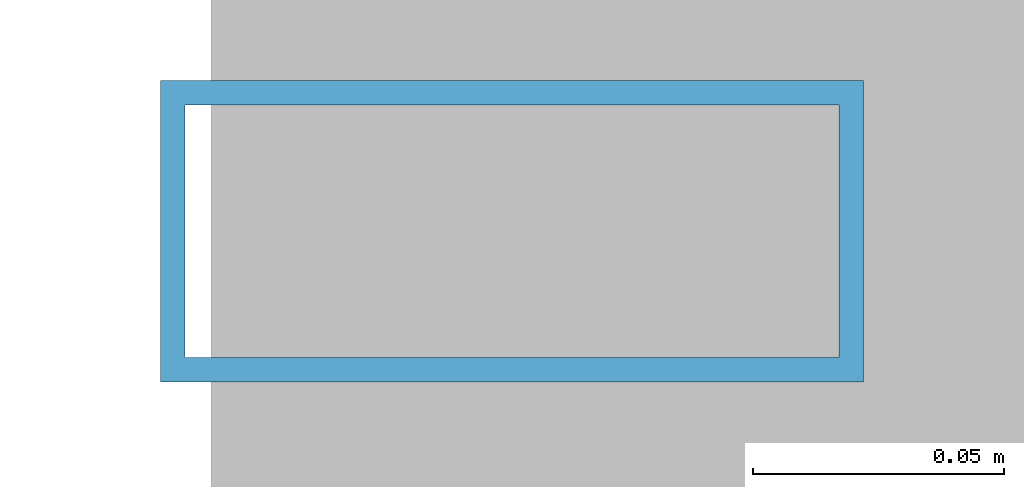
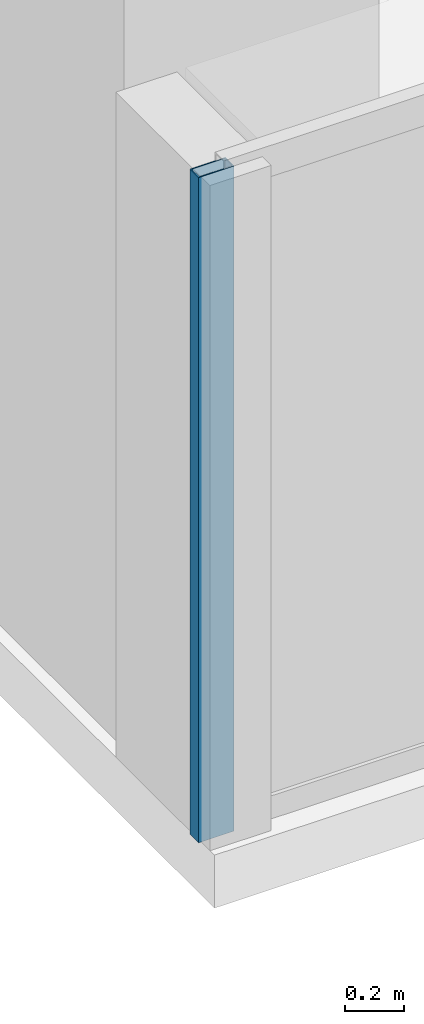
# One storey, part 6 of 28: 1 member, 1 element without a shape of its own.
"""IFC4 building model written with IfcOpenShell, lengths in metres."""

import ifcopenshell
import ifcopenshell.guid

model = None  # the IFC model being written
_history = None  # IfcOwnerHistory: only IFC2X3 demands one
_inside = {}  # id of a spatial element -> (the spatial element, [elements in it])
_under = {}  # id of a project, library or spatial element -> (it, [spatial elements below it])
_declared = {}  # id of a project -> (the project, [libraries it declares])
_typed = {}  # id of a type object -> (the type object, [elements of that type])
_made_of = {}  # id of a material, layer set ... -> (it, [elements and type objects made of it])


def new_model(schema):
    """Start an empty IFC model of exactly this schema.

    Asked for "IFC4X3", IfcOpenShell would pick the latest addendum, in which some entities
    have other attributes; the version numbers below select the first issue.
    IFC2X3 requires an IfcOwnerHistory on every rooted entity: one is made here for all.
    """
    global model, _history
    if schema == "IFC4X3":
        model = ifcopenshell.file(schema_version=(4, 3, 0, 0))
    else:
        model = ifcopenshell.file(schema=schema)
    _inside.clear()
    _under.clear()
    _declared.clear()
    _typed.clear()
    _made_of.clear()
    _history = None
    if model.schema == "IFC2X3":
        org = make("IfcOrganization", Name="unknown")
        user = make(
            "IfcPersonAndOrganization",
            ThePerson=make("IfcPerson", FamilyName="unknown"),
            TheOrganization=org,
        )
        app = make(
            "IfcApplication",
            ApplicationDeveloper=org,
            Version="unknown",
            ApplicationFullName="unknown",
            ApplicationIdentifier="unknown",
        )
        _history = make(
            "IfcOwnerHistory",
            OwningUser=user,
            OwningApplication=app,
            ChangeAction="ADDED",
            CreationDate=0,
        )
    return model


def make(cls, **values):
    """One entity of the class cls with the attributes given. An attribute that is None is left unset."""
    return model.create_entity(
        cls, **{name: value for name, value in values.items() if value is not None}
    )


def rooted(cls, **values):
    """An entity with a GlobalId (a new one), such as an element, a storey or a relation."""
    return make(cls, GlobalId=ifcopenshell.guid.new(), OwnerHistory=_history, **values)


def si_unit(unit_type, name, prefix=None):
    """IfcSIUnit, for example si_unit("LENGTHUNIT", "METRE", prefix="MILLI")."""
    return make("IfcSIUnit", UnitType=unit_type, Prefix=prefix, Name=name)


def assignment(units):
    """IfcUnitAssignment: the units of a project."""
    return None if units is None else make("IfcUnitAssignment", Units=units)


def point(xyz):
    """IfcCartesianPoint."""
    return None if xyz is None else make("IfcCartesianPoint", Coordinates=xyz)


def direction(xyz):
    """IfcDirection."""
    return None if xyz is None else make("IfcDirection", DirectionRatios=xyz)


def frame(location, z_axis=None, x_axis=None):
    """IfcAxis2Placement3D, a coordinate frame: its origin and axes. An axis left out is left unset."""
    return make(
        "IfcAxis2Placement3D",
        Location=point(location),
        Axis=direction(z_axis),
        RefDirection=direction(x_axis),
    )


def frame_2d(location, x_axis=None):
    """IfcAxis2Placement2D, a coordinate frame in the plane: its origin and x axis."""
    return make(
        "IfcAxis2Placement2D", Location=point(location), RefDirection=direction(x_axis)
    )


def origin():
    """The frame at (0, 0, 0) with its axes left unset."""
    return frame((0.0, 0.0, 0.0))


def origin_2d():
    """The frame at (0, 0) in the plane with its x axis left unset."""
    return frame_2d((0.0, 0.0))


def place(relative_to, where):
    """IfcLocalPlacement: puts the frame where relative to a parent placement (None: the world)."""
    return make(
        "IfcLocalPlacement", PlacementRelTo=relative_to, RelativePlacement=where
    )


def context(
    kind, dimensions, precision=None, world=None, true_north=None, identifier=None
):
    """IfcGeometricRepresentationContext, for example the 3D "Model" context."""
    return make(
        "IfcGeometricRepresentationContext",
        ContextIdentifier=identifier,
        ContextType=kind,
        CoordinateSpaceDimension=dimensions,
        Precision=precision,
        WorldCoordinateSystem=world,
        TrueNorth=true_north,
    )


def subcontext(parent, identifier, kind, view, scale=None):
    """IfcGeometricRepresentationSubContext, for example "Body" below "Model"."""
    return make(
        "IfcGeometricRepresentationSubContext",
        ContextIdentifier=identifier,
        ContextType=kind,
        ParentContext=parent,
        TargetScale=scale,
        TargetView=view,
    )


def project(units=None, contexts=None):
    """IfcProject with its units and contexts."""
    return rooted(
        "IfcProject",
        Name="project",
        RepresentationContexts=contexts,
        UnitsInContext=assignment(units),
    )


def spatial(cls, under=None, at=None, **own):
    """A site, building, storey or space (cls), placed at a placement, below another one or the project."""
    s = rooted(cls, ObjectPlacement=at, **own)
    if under is not None:
        _under.setdefault(under.id(), (under, []))[1].append(s)
    return s


def profile(cls, at=None, kind="AREA", **sizes):
    """A parametric profile (cls). Its sizes go by their IFC names, for example OverallWidth=200.0."""
    return make(cls, ProfileType=kind, Position=at, **sizes)


def hollow_rectangle(**sizes):
    """IfcRectangleHollowProfileDef."""
    return profile("IfcRectangleHollowProfileDef", **sizes)


def extrude(swept, where, along, depth):
    """IfcExtrudedAreaSolid: the profile swept, set in the frame where, extruded along a direction by depth."""
    return make(
        "IfcExtrudedAreaSolid",
        SweptArea=swept,
        Position=where,
        ExtrudedDirection=direction(along),
        Depth=depth,
    )


def shape(context_of_items, identifier, shape_type, items):
    """IfcShapeRepresentation: the items that make up one representation, for example the "Body"."""
    return make(
        "IfcShapeRepresentation",
        ContextOfItems=context_of_items,
        RepresentationIdentifier=identifier,
        RepresentationType=shape_type,
        Items=items,
    )


def source(mapping_origin, context_of_items, identifier, shape_type, items):
    """IfcRepresentationMap: a shape defined once, which mapped items show again and again."""
    return make(
        "IfcRepresentationMap",
        MappingOrigin=mapping_origin,
        MappedRepresentation=shape(context_of_items, identifier, shape_type, items),
    )


def transform(
    local_origin,
    x_axis=None,
    y_axis=None,
    z_axis=None,
    scale=None,
    scale2=None,
    scale3=None,
    uniform=True,
):
    """IfcCartesianTransformationOperator3D, or its non-uniform kind. x_axis, y_axis, z_axis: its Axis1, 2, 3."""
    if uniform:
        return make(
            "IfcCartesianTransformationOperator3D",
            Axis1=direction(x_axis),
            Axis2=direction(y_axis),
            LocalOrigin=point(local_origin),
            Scale=scale,
            Axis3=direction(z_axis),
        )
    return make(
        "IfcCartesianTransformationOperator3DnonUniform",
        Axis1=direction(x_axis),
        Axis2=direction(y_axis),
        LocalOrigin=point(local_origin),
        Scale=scale,
        Axis3=direction(z_axis),
        Scale2=scale2,
        Scale3=scale3,
    )


def mapped(mapping_source, mapping_target):
    """IfcMappedItem: shows the shape of a source again, moved by a transform."""
    return make(
        "IfcMappedItem", MappingSource=mapping_source, MappingTarget=mapping_target
    )


def material(Name=None, Category=None):
    """IfcMaterial."""
    return make("IfcMaterial", Name=Name, Category=Category)


def layer(
    of_material, thickness, ventilated=None, Name=None, Category=None, Priority=None
):
    """IfcMaterialLayer: one layer of a wall or slab, of a material (None: an air gap)."""
    return make(
        "IfcMaterialLayer",
        Material=of_material,
        LayerThickness=thickness,
        IsVentilated=ventilated,
        Name=Name,
        Category=Category,
        Priority=Priority,
    )


def layer_set(layers, Name=None):
    """IfcMaterialLayerSet."""
    return make("IfcMaterialLayerSet", MaterialLayers=layers, LayerSetName=Name)


def material_profile(
    of_material, cross_section, Name=None, Category=None, Priority=None
):
    """IfcMaterialProfile: a cross section and its material."""
    return make(
        "IfcMaterialProfile",
        Name=Name,
        Material=of_material,
        Profile=cross_section,
        Priority=Priority,
        Category=Category,
    )


def profile_set(profiles, Name=None, composite=None):
    """IfcMaterialProfileSet."""
    return make(
        "IfcMaterialProfileSet",
        Name=Name,
        MaterialProfiles=profiles,
        CompositeProfile=composite,
    )


def made_of(thing, what):
    """Note that an element or type object is made of a material, layer set ...; save() writes the relation."""
    if what is not None:
        _made_of.setdefault(what.id(), (what, []))[1].append(thing)
    return thing


def type_object(cls, material=None, **own):
    """A type object (cls), such as IfcWallType, which elements share."""
    return made_of(rooted(cls, **own), material)


def element(
    cls,
    number,
    at=None,
    inside=None,
    cuts=None,
    type_object=None,
    material=None,
    context=None,
    identifier="Body",
    shape_type=None,
    held_by="IfcProductDefinitionShape",
    body=None,
    shapes=None,
    **own,
):
    """One element of the class cls, such as IfcWall. Its Tag is "e" and its number.

    at: its placement. inside: the storey or other place that contains it. cuts: it is an
    opening in that element (IfcRelVoidsElement). A single representation is given by context,
    identifier, shape_type and body (its items); several are given by shapes. held_by: the class
    of the entity that holds the representations. save() writes the other relations.
    """
    e = rooted(cls, Tag="e%d" % number, ObjectPlacement=at, **own)
    if body is not None:
        shapes = [shape(context, identifier, shape_type, body)]
    if shapes is not None:
        e.Representation = make(held_by, Representations=shapes)
    if inside is not None:
        _inside.setdefault(inside.id(), (inside, []))[1].append(e)
    if cuts is not None:
        rooted(
            "IfcRelVoidsElement", RelatingBuildingElement=cuts, RelatedOpeningElement=e
        )
    if type_object is not None:
        _typed.setdefault(type_object.id(), (type_object, []))[1].append(e)
    return made_of(e, material)


def aggregate(whole, parts):
    """IfcRelAggregates: a whole, such as a stair, and the parts it consists of."""
    return rooted("IfcRelAggregates", RelatingObject=whole, RelatedObjects=parts)


def save(model, path):
    """Write the relations noted so far, then the file.

    IfcRelAggregates (storeys below a building ...), IfcRelContainedInSpatialStructure (elements
    in a storey), IfcRelDefinesByType, IfcRelAssociatesMaterial and IfcRelDeclares: one each for
    every whole, place, type object, material and project.
    """
    for whole, parts in _under.values():
        aggregate(whole, parts)
    for where, things in _inside.values():
        rooted(
            "IfcRelContainedInSpatialStructure",
            RelatedElements=things,
            RelatingStructure=where,
        )
    for kind, things in _typed.values():
        rooted("IfcRelDefinesByType", RelatedObjects=things, RelatingType=kind)
    for what, things in _made_of.values():
        rooted("IfcRelAssociatesMaterial", RelatedObjects=things, RelatingMaterial=what)
    for by, libraries in _declared.values():
        rooted("IfcRelDeclares", RelatingContext=by, RelatedDefinitions=libraries)
    model.write(path)


model = new_model("IFC4")

# Units and contexts
model_context = context("Model", 3, precision=1e-05, world=origin(), true_north=direction((0.0, 1.0)))
body_context = subcontext(model_context, "Body", "Model", "MODEL_VIEW")
ifc_project = project(units=[si_unit("LENGTHUNIT", "METRE"), si_unit("AREAUNIT", "SQUARE_METRE"), si_unit("VOLUMEUNIT", "CUBIC_METRE"), si_unit("PLANEANGLEUNIT", "RADIAN"), si_unit("MASSUNIT", "GRAM", prefix="KILO")], contexts=[model_context])

# Site, building, storey
site_placement = place(None, origin())
site = spatial("IfcSite", under=ifc_project, at=site_placement, CompositionType="ELEMENT")
building_placement = place(site_placement, origin())
building = spatial("IfcBuilding", under=site, at=building_placement, Name="Sumidabori Civic Tower", CompositionType="ELEMENT")
storey_placement = place(building_placement, frame((0.0, 0.0, 210.800048828125)))
storey = spatial("IfcBuildingStorey", under=building, at=storey_placement, Name="L54", CompositionType="ELEMENT", Elevation=210.800048828125)

# Curtain wall, member
ifc_material = material(Name="Anodised Bronze Aluminium AW-6063-T6", Category="aluminium")
ifc_layer = layer(ifc_material, 0.179931640625, Name="Anodised Bronze Aluminium AW-6063-T6")
ifc_layer_set = layer_set([ifc_layer], Name="Anodised Bronze Aluminium AW-6063-T6")
curtain_wall_type = type_object("IfcCurtainWallType", Name="CW-SYS-5", PredefinedType="NOTDEFINED", material=ifc_layer_set)
curtain_wall_placement = place(storey_placement, origin())
curtain_wall = element("IfcCurtainWall", 1, at=curtain_wall_placement, inside=storey, type_object=curtain_wall_type, Name="Curtain Wall CW:L54:R09", PredefinedType="NOTDEFINED")
ifc_material_profile = material_profile(ifc_material, hollow_rectangle(XDim=0.06005859375, YDim=0.139892578125, WallThickness=0.0048828125, at=origin_2d()), Name="ALU MULLION 140x60")
ifc_profile_set = profile_set([ifc_material_profile], Name="Anodised Bronze Aluminium AW-6063-T6")
member_type = type_object("IfcMemberType", Name="CW-MUL-140", PredefinedType="MULLION", material=ifc_profile_set)
shared_shape = source(origin(), body_context, "Body", "SweptSolid", [
    extrude(hollow_rectangle(XDim=0.06005859375, YDim=0.139892578125, WallThickness=0.0048828125, at=origin_2d()), origin(), (0.0, 0.0, 1.0), 2.760009765625),
])
member_placement = place(storey_placement, frame((7.909912109375, -11.8798828125, 0.0), z_axis=(0.0, 0.0, 1.0), x_axis=(0.0, 1.0, 0.0)))
member = element("IfcMember", 2, at=member_placement, type_object=member_type, Name="CW-5 mullion 1", PredefinedType="MULLION", context=body_context, shape_type="MappedRepresentation", body=[
    mapped(shared_shape, transform((0.0, 0.0, 0.0), x_axis=(1.0, 0.0, 0.0), y_axis=(0.0, 1.0, 0.0), z_axis=(0.0, 0.0, 1.0), scale=1.0)),
])
aggregate(curtain_wall, [member])

save(model, "model.ifc")
